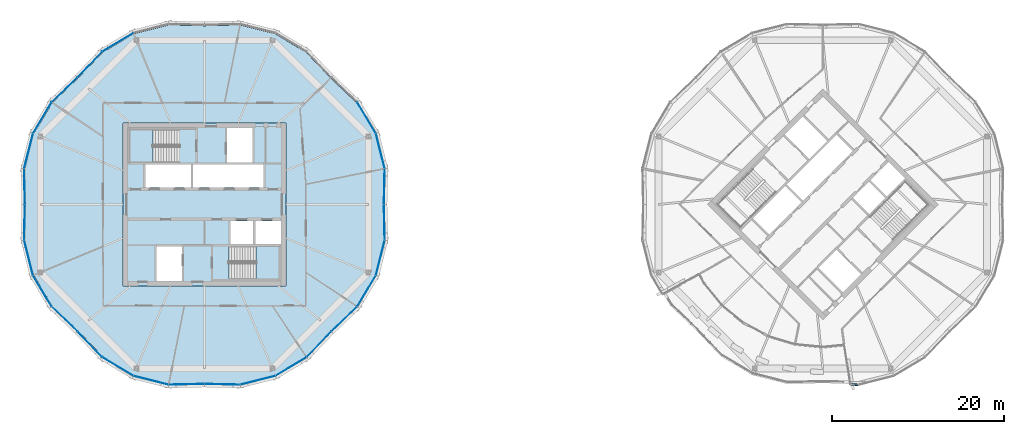
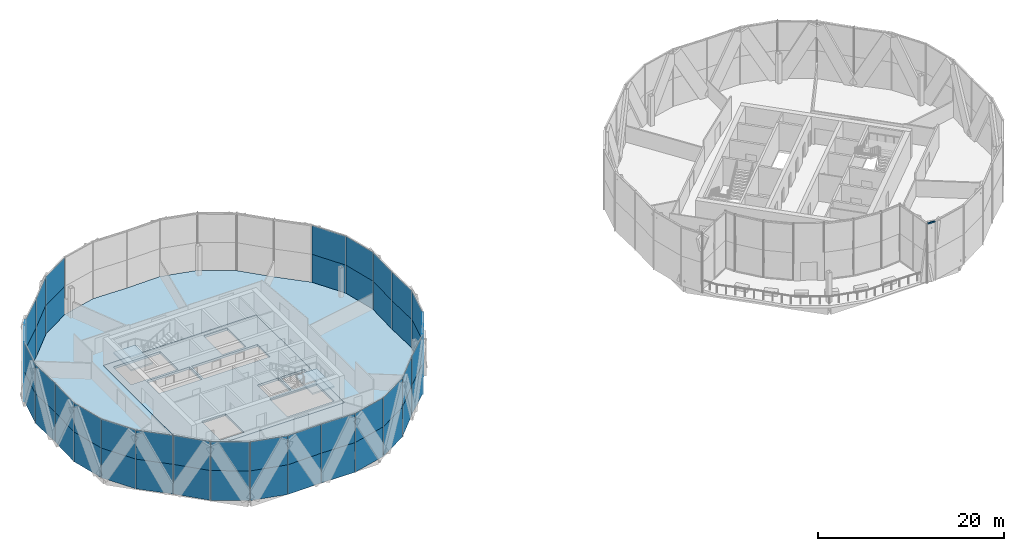
# One storey, part 15 of 26: 50 plates, 4 slabs, 1 member, 10 elements without a shape of their own.
"""IFC4 building model written with IfcOpenShell, lengths in metres."""

from ifc_helpers import new_model, si_unit, direction, frame, origin, origin_2d, place, context, subcontext, project, spatial, polyline, rectangle, outline, extrude, material, layer, layer_set, material_profile, profile_set, type_object, element, aggregate, save


model = new_model("IFC4")

# Units and contexts
model_context = context("Model", 3, precision=1e-05, world=origin(), true_north=direction((0.0, 1.0)))
body_context = subcontext(model_context, "Body", "Model", "MODEL_VIEW")
ifc_project = project(units=[si_unit("LENGTHUNIT", "METRE"), si_unit("AREAUNIT", "SQUARE_METRE"), si_unit("VOLUMEUNIT", "CUBIC_METRE"), si_unit("PLANEANGLEUNIT", "RADIAN"), si_unit("MASSUNIT", "GRAM", prefix="KILO")], contexts=[model_context])

# Site, building, storey
site_placement = place(None, origin())
site = spatial("IfcSite", under=ifc_project, at=site_placement, CompositionType="ELEMENT")
building_placement = place(site_placement, origin())
building = spatial("IfcBuilding", under=site, at=building_placement, Name="Ogive Gate Towers", CompositionType="ELEMENT")
storey_placement = place(building_placement, frame((0.0, 0.0, 208.5)))
storey = spatial("IfcBuildingStorey", under=building, at=storey_placement, Name="L50", CompositionType="ELEMENT", Elevation=208.5)

# Curtain wall, member
ifc_material_1 = material(Name="Pale metal aluminium", Category="aluminium")
curtain_wall_type = type_object("IfcCurtainWallType", Name="Tower unitised wall, high zone", PredefinedType="NOTDEFINED", material=ifc_material_1)
curtain_wall_1_placement = place(storey_placement, origin())
curtain_wall_1 = element("IfcCurtainWall", 1, at=curtain_wall_1_placement, inside=storey, type_object=curtain_wall_type, Name="CW2 T2 ECW09", PredefinedType="NOTDEFINED")
ifc_material_profile = material_profile(ifc_material_1, rectangle(XDim=0.179931640625, YDim=0.10009765625, at=origin_2d()), Name="100 x 180 aluminium box")
ifc_profile_set = profile_set([ifc_material_profile], Name="Pale metal aluminium")
member_type = type_object("IfcMemberType", Name="Tower unitised wall, high zone transom 100 x 180", PredefinedType="USERDEFINED", material=ifc_profile_set)
member_placement = place(storey_placement, frame((40.13671875, -21.000244140625, 7.449951171875), z_axis=(-0.9997635287, 0.02174595781, 0.0), x_axis=(-0.02174595781, -0.9997635287, 0.0)))
member = element("IfcMember", 2, at=member_placement, type_object=member_type, Name="CW2 transom", ObjectType="TRANSOM", PredefinedType="USERDEFINED", context=body_context, shape_type="SweptSolid", body=[
    extrude(rectangle(XDim=0.179931640625, YDim=0.10009765625, at=origin_2d()), origin(), (0.0, 0.0, 1.0), 0.886962890625),
])
aggregate(curtain_wall_1, [member])

# Slabs
ifc_material_2 = material(Name="Concrete C40/50", Category="concrete")
ifc_layer_1 = layer(ifc_material_2, 0.300048828125)
ifc_layer_set_1 = layer_set([ifc_layer_1], Name="Core slab C40/50 300 mm")
slab_type_1 = type_object("IfcSlabType", Name="Core slab C40/50 300 mm", PredefinedType="FLOOR", material=ifc_layer_set_1)
slab_1_placement = place(storey_placement, frame((0.0, 0.0, -0.300048828125)))
element("IfcSlab", 3, at=slab_1_placement, inside=storey, type_object=slab_type_1, Name="T1 L50 core slab", PredefinedType="FLOOR", context=body_context, shape_type="SweptSolid", body=[
    extrude(outline(polyline([(-45.5, -9.5), (-45.5, 9.5), (-26.5, 9.5), (-26.5, -9.5), (-45.5, -9.5)]), holes=[polyline([(-42.875, 1.949951171875), (-37.574951171875, 1.949951171875), (-37.574951171875, 4.625), (-42.875, 4.625), (-42.875, 1.949951171875)]), polyline([(-37.324951171875, 4.625), (-37.324951171875, 1.949951171875), (-29.125, 1.949951171875), (-29.125, 4.625), (-37.324951171875, 4.625)]), polyline([(-30.324951171875, -1.949951171875), (-32.97509765625, -1.949951171875), (-32.97509765625, -4.625), (-30.324951171875, -4.625), (-30.324951171875, -1.949951171875)]), polyline([(-27.10009765625, -4.625), (-27.10009765625, -1.949951171875), (-30.074951171875, -1.949951171875), (-30.074951171875, -4.625), (-27.10009765625, -4.625)]), polyline([(-33.375, 4.875), (-30.425048828125, 4.875), (-30.425048828125, 8.89990234375), (-33.375, 8.89990234375), (-33.375, 4.875)]), polyline([(-41.574951171875, -4.875), (-41.574951171875, -8.89990234375), (-38.625, -8.89990234375), (-38.625, -4.875), (-41.574951171875, -4.875)]), polyline([(-44.699951171875, 4.875), (-38.885009765625, 4.875), (-38.885009765625, 8.699951171875), (-44.699951171875, 8.699951171875), (-44.699951171875, 4.875)]), polyline([(-27.300048828125, -8.699951171875), (-27.300048828125, -4.875), (-33.114990234375, -4.875), (-33.114990234375, -8.699951171875), (-27.300048828125, -8.699951171875)])]), origin(), (0.0, 0.0, 1.0), 0.300048828125),
])
ifc_material_3 = material(Name="Concrete C35/45", Category="concrete")
ifc_layer_2 = layer(ifc_material_3, 0.300048828125)
ifc_layer_set_2 = layer_set([ifc_layer_2], Name="Floor slab 300")
slab_type_2 = type_object("IfcSlabType", Name="Floor slab 300", PredefinedType="FLOOR", material=ifc_layer_set_2)
slab_2_placement = place(storey_placement, frame((0.0, 0.0, -0.300048828125)))
element("IfcSlab", 4, at=slab_2_placement, inside=storey, type_object=slab_type_2, Name="T1/L50/SSL001", PredefinedType="FLOOR", context=body_context, shape_type="SweptSolid", body=[
    extrude(outline(polyline([(-15.109375, -4.155517578125), (-15.199951171875, 0.0), (-15.109375, 4.155517578125), (-16.136474609375, 8.227783203125), (-18.289794921875, 11.833740234375), (-21.292236328125, 14.707763671875), (-24.166259765625, 17.710205078125), (-27.772216796875, 19.863525390625), (-31.844482421875, 20.890625), (-36.0, 20.800048828125), (-40.155517578125, 20.890625), (-44.227783203125, 19.863525390625), (-47.833740234375, 17.710205078125), (-50.707763671875, 14.707763671875), (-53.710205078125, 11.833740234375), (-55.863525390625, 8.227783203125), (-56.890625, 4.155517578125), (-56.800048828125, 0.0), (-56.890625, -4.155517578125), (-55.863525390625, -8.227783203125), (-53.710205078125, -11.833740234375), (-50.707763671875, -14.707763671875), (-47.833740234375, -17.710205078125), (-44.227783203125, -19.863525390625), (-40.155517578125, -20.890625), (-36.0, -20.800048828125), (-31.844482421875, -20.890625), (-27.772216796875, -19.863525390625), (-24.166259765625, -17.710205078125), (-21.292236328125, -14.707763671875), (-18.289794921875, -11.833740234375), (-16.136474609375, -8.227783203125), (-15.109375, -4.155517578125)]), holes=[polyline([(-26.5, -9.5), (-45.5, -9.5), (-45.5, 9.5), (-26.5, 9.5), (-26.5, -9.5)])]), origin(), (0.0, 0.0, 1.0), 0.300048828125),
])

# Stair, slab
stair_type = type_object("IfcStairType", Name="Escape stair 1840 wide", PredefinedType="HALF_TURN_STAIR", material=ifc_material_2)
stair_1_placement = place(storey_placement, origin())
stair_1 = element("IfcStair", 5, at=stair_1_placement, inside=storey, type_object=stair_type, Name="L50 Escape stair 1", PredefinedType="HALF_TURN_STAIR")
ifc_layer_3 = layer(ifc_material_2, 0.199951171875)
ifc_layer_set_3 = layer_set([ifc_layer_3], Name="Stair landing 200 mm")
slab_type_3 = type_object("IfcSlabType", Name="Stair landing 200 mm", PredefinedType="LANDING", material=ifc_layer_set_3)
slab_3_placement = place(storey_placement, frame((0.0, 0.0, 1.75)))
slab_3 = element("IfcSlab", 6, at=slab_3_placement, type_object=slab_type_3, Name="ST1 landing 1", PredefinedType="LANDING", context=body_context, shape_type="SweptSolid", body=[
    extrude(outline(polyline([(-42.00146484375, 8.699951171875), (-44.699951171875, 8.699951171875), (-44.699951171875, 4.875), (-42.00146484375, 4.875), (-42.00146484375, 8.699951171875)])), origin(), (0.0, 0.0, 1.0), 0.199951171875),
])
aggregate(stair_1, [slab_3])

stair_2_placement = place(storey_placement, origin())
stair_2 = element("IfcStair", 7, at=stair_2_placement, inside=storey, type_object=stair_type, Name="L50 Escape stair 2", PredefinedType="HALF_TURN_STAIR")
slab_4_placement = place(storey_placement, frame((0.0, 0.0, 1.75)))
slab_4 = element("IfcSlab", 8, at=slab_4_placement, type_object=slab_type_3, Name="ST2 landing 1", PredefinedType="LANDING", context=body_context, shape_type="SweptSolid", body=[
    extrude(outline(polyline([(-29.99853515625, -8.699951171875), (-27.300048828125, -8.699951171875), (-27.300048828125, -4.875), (-29.99853515625, -4.875), (-29.99853515625, -8.699951171875)])), origin(), (0.0, 0.0, 1.0), 0.199951171875),
])
aggregate(stair_2, [slab_4])

# Curtain wall, plates
curtain_wall_2_placement = place(storey_placement, origin())
curtain_wall_2 = element("IfcCurtainWall", 9, at=curtain_wall_2_placement, inside=storey, type_object=curtain_wall_type, Name="CW2 T1 ECW01", PredefinedType="NOTDEFINED")
ifc_material_4 = material(Name="Clear glass", Category="glass")
ifc_layer_4 = layer(ifc_material_4, 0.028076171875)
ifc_layer_set_4 = layer_set([ifc_layer_4], Name="Tower unitised wall, high zone glass panel")
plate_type = type_object("IfcPlateType", Name="Tower unitised wall, high zone glass panel", PredefinedType="CURTAIN_PANEL", material=ifc_layer_set_4)
plate_1_placement = place(storey_placement, frame((-15.054443359375, 2.08154296875, -0.300048828125), z_axis=(0.0, 0.0, 1.0), x_axis=(0.02183233417, 0.999761646186, 0.0)))
plate_1 = element("IfcPlate", 10, at=plate_1_placement, type_object=plate_type, Name="CW2 glass panel", PredefinedType="CURTAIN_PANEL", context=body_context, shape_type="SweptSolid", body=[
    extrude(rectangle(XDim=4.10986328125, YDim=0.028076171875, at=origin_2d()), origin(), (0.0, 0.0, 1.0), 3.89990234375),
])
plate_2_placement = place(storey_placement, frame((-15.054443359375, 2.08154296875, 3.60009765625), z_axis=(0.0, 0.0, 1.0), x_axis=(0.02183233417, 0.999761646186, 0.0)))
plate_2 = element("IfcPlate", 11, at=plate_2_placement, type_object=plate_type, Name="CW2 glass panel", PredefinedType="CURTAIN_PANEL", context=body_context, shape_type="SweptSolid", body=[
    extrude(rectangle(XDim=4.10986328125, YDim=0.028076171875, at=origin_2d()), origin(), (0.0, 0.0, 1.0), 3.803955078125),
])
plate_3_placement = place(storey_placement, frame((-15.526123046875, 6.216552734375, -0.300048828125), z_axis=(0.0, 0.0, 1.0), x_axis=(-0.244613602588, 0.969620639956, 0.0)))
plate_3 = element("IfcPlate", 12, at=plate_3_placement, type_object=plate_type, Name="CW2 glass panel", PredefinedType="CURTAIN_PANEL", context=body_context, shape_type="SweptSolid", body=[
    extrude(rectangle(XDim=4.166015625, YDim=0.028076171875, at=origin_2d()), origin(), (0.0, 0.0, 1.0), 3.89990234375),
])
plate_4_placement = place(storey_placement, frame((-15.526123046875, 6.216552734375, 3.60009765625), z_axis=(0.0, 0.0, 1.0), x_axis=(-0.244613602588, 0.969620639956, 0.0)))
plate_4 = element("IfcPlate", 13, at=plate_4_placement, type_object=plate_type, Name="CW2 glass panel", PredefinedType="CURTAIN_PANEL", context=body_context, shape_type="SweptSolid", body=[
    extrude(rectangle(XDim=4.166015625, YDim=0.028076171875, at=origin_2d()), origin(), (0.0, 0.0, 1.0), 3.803955078125),
])
plate_5_placement = place(storey_placement, frame((-17.126953125, 10.08154296875, -0.300048828125), z_axis=(0.0, 0.0, 1.0), x_axis=(-0.512672377733, 0.858584319161, 0.0)))
plate_5 = element("IfcPlate", 14, at=plate_5_placement, type_object=plate_type, Name="CW2 glass panel", PredefinedType="CURTAIN_PANEL", context=body_context, shape_type="SweptSolid", body=[
    extrude(rectangle(XDim=4.166015625, YDim=0.028076171875, at=origin_2d()), origin(), (0.0, 0.0, 1.0), 3.89990234375),
])
plate_6_placement = place(storey_placement, frame((-17.126953125, 10.08154296875, 3.60009765625), z_axis=(0.0, 0.0, 1.0), x_axis=(-0.512672377733, 0.858584319161, 0.0)))
plate_6 = element("IfcPlate", 15, at=plate_6_placement, type_object=plate_type, Name="CW2 glass panel", PredefinedType="CURTAIN_PANEL", context=body_context, shape_type="SweptSolid", body=[
    extrude(rectangle(XDim=4.166015625, YDim=0.028076171875, at=origin_2d()), origin(), (0.0, 0.0, 1.0), 3.803955078125),
])
aggregate(curtain_wall_2, [plate_1, plate_2, plate_3, plate_4, plate_5, plate_6])

curtain_wall_3_placement = place(storey_placement, origin())
curtain_wall_3 = element("IfcCurtainWall", 16, at=curtain_wall_3_placement, inside=storey, type_object=curtain_wall_type, Name="CW2 T1 ECW03", PredefinedType="NOTDEFINED")
plate_7_placement = place(storey_placement, frame((-46.08154296875, 18.873046875, -0.300048828125), z_axis=(0.0, 0.0, 1.0), x_axis=(-0.858584319161, -0.512672377733, 0.0)))
plate_7 = element("IfcPlate", 17, at=plate_7_placement, type_object=plate_type, Name="CW2 glass panel", PredefinedType="CURTAIN_PANEL", context=body_context, shape_type="SweptSolid", body=[
    extrude(rectangle(XDim=4.166015625, YDim=0.028076171875, at=origin_2d()), origin(), (0.0, 0.0, 1.0), 3.89990234375),
])
plate_8_placement = place(storey_placement, frame((-46.08154296875, 18.873046875, 3.60009765625), z_axis=(0.0, 0.0, 1.0), x_axis=(-0.858584319161, -0.512672377733, 0.0)))
plate_8 = element("IfcPlate", 18, at=plate_8_placement, type_object=plate_type, Name="CW2 glass panel", PredefinedType="CURTAIN_PANEL", context=body_context, shape_type="SweptSolid", body=[
    extrude(rectangle(XDim=4.166015625, YDim=0.028076171875, at=origin_2d()), origin(), (0.0, 0.0, 1.0), 3.803955078125),
])
plate_9_placement = place(storey_placement, frame((-49.3388671875, 16.282470703125, -0.300048828125), z_axis=(0.0, 0.0, 1.0), x_axis=(-0.691500448047, -0.722376031129, 0.0)))
plate_9 = element("IfcPlate", 19, at=plate_9_placement, type_object=plate_type, Name="CW2 glass panel", PredefinedType="CURTAIN_PANEL", context=body_context, shape_type="SweptSolid", body=[
    extrude(rectangle(XDim=4.10986328125, YDim=0.028076171875, at=origin_2d()), origin(), (0.0, 0.0, 1.0), 3.89990234375),
])
plate_10_placement = place(storey_placement, frame((-49.3388671875, 16.282470703125, 3.60009765625), z_axis=(0.0, 0.0, 1.0), x_axis=(-0.691500448047, -0.722376031129, 0.0)))
plate_10 = element("IfcPlate", 20, at=plate_10_placement, type_object=plate_type, Name="CW2 glass panel", PredefinedType="CURTAIN_PANEL", context=body_context, shape_type="SweptSolid", body=[
    extrude(rectangle(XDim=4.10986328125, YDim=0.028076171875, at=origin_2d()), origin(), (0.0, 0.0, 1.0), 3.803955078125),
])
aggregate(curtain_wall_3, [plate_7, plate_8, plate_9, plate_10])

curtain_wall_4_placement = place(storey_placement, origin())
curtain_wall_4 = element("IfcCurtainWall", 21, at=curtain_wall_4_placement, inside=storey, type_object=curtain_wall_type, Name="CW2 T1 ECW04", PredefinedType="NOTDEFINED")
plate_11_placement = place(storey_placement, frame((-52.282470703125, 13.3388671875, -0.300048828125), z_axis=(0.0, 0.0, 1.0), x_axis=(-0.722376031129, -0.691500448047, 0.0)))
plate_11 = element("IfcPlate", 22, at=plate_11_placement, type_object=plate_type, Name="CW2 glass panel", PredefinedType="CURTAIN_PANEL", context=body_context, shape_type="SweptSolid", body=[
    extrude(rectangle(XDim=4.10986328125, YDim=0.028076171875, at=origin_2d()), origin(), (0.0, 0.0, 1.0), 3.89990234375),
])
plate_12_placement = place(storey_placement, frame((-52.282470703125, 13.3388671875, 3.60009765625), z_axis=(0.0, 0.0, 1.0), x_axis=(-0.722376031129, -0.691500448047, 0.0)))
plate_12 = element("IfcPlate", 23, at=plate_12_placement, type_object=plate_type, Name="CW2 glass panel", PredefinedType="CURTAIN_PANEL", context=body_context, shape_type="SweptSolid", body=[
    extrude(rectangle(XDim=4.10986328125, YDim=0.028076171875, at=origin_2d()), origin(), (0.0, 0.0, 1.0), 3.803955078125),
])
plate_13_placement = place(storey_placement, frame((-54.873046875, 10.08154296875, -0.300048828125), z_axis=(0.0, 0.0, 1.0), x_axis=(-0.512672377733, -0.858584319161, 0.0)))
plate_13 = element("IfcPlate", 24, at=plate_13_placement, type_object=plate_type, Name="CW2 glass panel", PredefinedType="CURTAIN_PANEL", context=body_context, shape_type="SweptSolid", body=[
    extrude(rectangle(XDim=4.166015625, YDim=0.028076171875, at=origin_2d()), origin(), (0.0, 0.0, 1.0), 3.89990234375),
])
plate_14_placement = place(storey_placement, frame((-54.873046875, 10.08154296875, 3.60009765625), z_axis=(0.0, 0.0, 1.0), x_axis=(-0.512672377733, -0.858584319161, 0.0)))
plate_14 = element("IfcPlate", 25, at=plate_14_placement, type_object=plate_type, Name="CW2 glass panel", PredefinedType="CURTAIN_PANEL", context=body_context, shape_type="SweptSolid", body=[
    extrude(rectangle(XDim=4.166015625, YDim=0.028076171875, at=origin_2d()), origin(), (0.0, 0.0, 1.0), 3.803955078125),
])
plate_15_placement = place(storey_placement, frame((-56.473876953125, 6.216552734375, -0.300048828125), z_axis=(0.0, 0.0, 1.0), x_axis=(-0.244613602588, -0.969620639956, 0.0)))
plate_15 = element("IfcPlate", 26, at=plate_15_placement, type_object=plate_type, Name="CW2 glass panel", PredefinedType="CURTAIN_PANEL", context=body_context, shape_type="SweptSolid", body=[
    extrude(rectangle(XDim=4.166015625, YDim=0.028076171875, at=origin_2d()), origin(), (0.0, 0.0, 1.0), 3.89990234375),
])
plate_16_placement = place(storey_placement, frame((-56.473876953125, 6.216552734375, 3.60009765625), z_axis=(0.0, 0.0, 1.0), x_axis=(-0.244613602588, -0.969620639956, 0.0)))
plate_16 = element("IfcPlate", 27, at=plate_16_placement, type_object=plate_type, Name="CW2 glass panel", PredefinedType="CURTAIN_PANEL", context=body_context, shape_type="SweptSolid", body=[
    extrude(rectangle(XDim=4.166015625, YDim=0.028076171875, at=origin_2d()), origin(), (0.0, 0.0, 1.0), 3.803955078125),
])
plate_17_placement = place(storey_placement, frame((-56.945556640625, 2.08154296875, -0.300048828125), z_axis=(0.0, 0.0, 1.0), x_axis=(0.02183233417, -0.999761646186, 0.0)))
plate_17 = element("IfcPlate", 28, at=plate_17_placement, type_object=plate_type, Name="CW2 glass panel", PredefinedType="CURTAIN_PANEL", context=body_context, shape_type="SweptSolid", body=[
    extrude(rectangle(XDim=4.10986328125, YDim=0.028076171875, at=origin_2d()), origin(), (0.0, 0.0, 1.0), 3.89990234375),
])
plate_18_placement = place(storey_placement, frame((-56.945556640625, 2.08154296875, 3.60009765625), z_axis=(0.0, 0.0, 1.0), x_axis=(0.02183233417, -0.999761646186, 0.0)))
plate_18 = element("IfcPlate", 29, at=plate_18_placement, type_object=plate_type, Name="CW2 glass panel", PredefinedType="CURTAIN_PANEL", context=body_context, shape_type="SweptSolid", body=[
    extrude(rectangle(XDim=4.10986328125, YDim=0.028076171875, at=origin_2d()), origin(), (0.0, 0.0, 1.0), 3.803955078125),
])
aggregate(curtain_wall_4, [plate_11, plate_12, plate_13, plate_14, plate_15, plate_16, plate_17, plate_18])

curtain_wall_5_placement = place(storey_placement, origin())
curtain_wall_5 = element("IfcCurtainWall", 30, at=curtain_wall_5_placement, inside=storey, type_object=curtain_wall_type, Name="CW2 T1 ECW05", PredefinedType="NOTDEFINED")
plate_19_placement = place(storey_placement, frame((-56.945556640625, -2.08154296875, -0.300048828125), z_axis=(0.0, 0.0, 1.0), x_axis=(-0.02183233417, -0.999761646186, 0.0)))
plate_19 = element("IfcPlate", 31, at=plate_19_placement, type_object=plate_type, Name="CW2 glass panel", PredefinedType="CURTAIN_PANEL", context=body_context, shape_type="SweptSolid", body=[
    extrude(rectangle(XDim=4.10986328125, YDim=0.028076171875, at=origin_2d()), origin(), (0.0, 0.0, 1.0), 3.89990234375),
])
plate_20_placement = place(storey_placement, frame((-56.945556640625, -2.08154296875, 3.60009765625), z_axis=(0.0, 0.0, 1.0), x_axis=(-0.02183233417, -0.999761646186, 0.0)))
plate_20 = element("IfcPlate", 32, at=plate_20_placement, type_object=plate_type, Name="CW2 glass panel", PredefinedType="CURTAIN_PANEL", context=body_context, shape_type="SweptSolid", body=[
    extrude(rectangle(XDim=4.10986328125, YDim=0.028076171875, at=origin_2d()), origin(), (0.0, 0.0, 1.0), 3.803955078125),
])
plate_21_placement = place(storey_placement, frame((-56.473876953125, -6.216552734375, -0.300048828125), z_axis=(0.0, 0.0, 1.0), x_axis=(0.244613602588, -0.969620639956, 0.0)))
plate_21 = element("IfcPlate", 33, at=plate_21_placement, type_object=plate_type, Name="CW2 glass panel", PredefinedType="CURTAIN_PANEL", context=body_context, shape_type="SweptSolid", body=[
    extrude(rectangle(XDim=4.166015625, YDim=0.028076171875, at=origin_2d()), origin(), (0.0, 0.0, 1.0), 3.89990234375),
])
plate_22_placement = place(storey_placement, frame((-56.473876953125, -6.216552734375, 3.60009765625), z_axis=(0.0, 0.0, 1.0), x_axis=(0.244613602588, -0.969620639956, 0.0)))
plate_22 = element("IfcPlate", 34, at=plate_22_placement, type_object=plate_type, Name="CW2 glass panel", PredefinedType="CURTAIN_PANEL", context=body_context, shape_type="SweptSolid", body=[
    extrude(rectangle(XDim=4.166015625, YDim=0.028076171875, at=origin_2d()), origin(), (0.0, 0.0, 1.0), 3.803955078125),
])
plate_23_placement = place(storey_placement, frame((-54.873046875, -10.08154296875, -0.300048828125), z_axis=(0.0, 0.0, 1.0), x_axis=(0.512672377733, -0.858584319161, 0.0)))
plate_23 = element("IfcPlate", 35, at=plate_23_placement, type_object=plate_type, Name="CW2 glass panel", PredefinedType="CURTAIN_PANEL", context=body_context, shape_type="SweptSolid", body=[
    extrude(rectangle(XDim=4.166015625, YDim=0.028076171875, at=origin_2d()), origin(), (0.0, 0.0, 1.0), 3.89990234375),
])
plate_24_placement = place(storey_placement, frame((-54.873046875, -10.08154296875, 3.60009765625), z_axis=(0.0, 0.0, 1.0), x_axis=(0.512672377733, -0.858584319161, 0.0)))
plate_24 = element("IfcPlate", 36, at=plate_24_placement, type_object=plate_type, Name="CW2 glass panel", PredefinedType="CURTAIN_PANEL", context=body_context, shape_type="SweptSolid", body=[
    extrude(rectangle(XDim=4.166015625, YDim=0.028076171875, at=origin_2d()), origin(), (0.0, 0.0, 1.0), 3.803955078125),
])
plate_25_placement = place(storey_placement, frame((-52.282470703125, -13.3388671875, -0.300048828125), z_axis=(0.0, 0.0, 1.0), x_axis=(0.722376031129, -0.691500448047, 0.0)))
plate_25 = element("IfcPlate", 37, at=plate_25_placement, type_object=plate_type, Name="CW2 glass panel", PredefinedType="CURTAIN_PANEL", context=body_context, shape_type="SweptSolid", body=[
    extrude(rectangle(XDim=4.10986328125, YDim=0.028076171875, at=origin_2d()), origin(), (0.0, 0.0, 1.0), 3.89990234375),
])
plate_26_placement = place(storey_placement, frame((-52.282470703125, -13.3388671875, 3.60009765625), z_axis=(0.0, 0.0, 1.0), x_axis=(0.722376031129, -0.691500448047, 0.0)))
plate_26 = element("IfcPlate", 38, at=plate_26_placement, type_object=plate_type, Name="CW2 glass panel", PredefinedType="CURTAIN_PANEL", context=body_context, shape_type="SweptSolid", body=[
    extrude(rectangle(XDim=4.10986328125, YDim=0.028076171875, at=origin_2d()), origin(), (0.0, 0.0, 1.0), 3.803955078125),
])
aggregate(curtain_wall_5, [plate_19, plate_20, plate_21, plate_22, plate_23, plate_24, plate_25, plate_26])

curtain_wall_6_placement = place(storey_placement, origin())
curtain_wall_6 = element("IfcCurtainWall", 39, at=curtain_wall_6_placement, inside=storey, type_object=curtain_wall_type, Name="CW2 T1 ECW06", PredefinedType="NOTDEFINED")
plate_27_placement = place(storey_placement, frame((-49.3388671875, -16.282470703125, -0.300048828125), z_axis=(0.0, 0.0, 1.0), x_axis=(0.691500448047, -0.722376031129, 0.0)))
plate_27 = element("IfcPlate", 40, at=plate_27_placement, type_object=plate_type, Name="CW2 glass panel", PredefinedType="CURTAIN_PANEL", context=body_context, shape_type="SweptSolid", body=[
    extrude(rectangle(XDim=4.10986328125, YDim=0.028076171875, at=origin_2d()), origin(), (0.0, 0.0, 1.0), 3.89990234375),
])
plate_28_placement = place(storey_placement, frame((-49.3388671875, -16.282470703125, 3.60009765625), z_axis=(0.0, 0.0, 1.0), x_axis=(0.691500448047, -0.722376031129, 0.0)))
plate_28 = element("IfcPlate", 41, at=plate_28_placement, type_object=plate_type, Name="CW2 glass panel", PredefinedType="CURTAIN_PANEL", context=body_context, shape_type="SweptSolid", body=[
    extrude(rectangle(XDim=4.10986328125, YDim=0.028076171875, at=origin_2d()), origin(), (0.0, 0.0, 1.0), 3.803955078125),
])
plate_29_placement = place(storey_placement, frame((-46.08154296875, -18.873046875, -0.300048828125), z_axis=(0.0, 0.0, 1.0), x_axis=(0.858584319161, -0.512672377733, 0.0)))
plate_29 = element("IfcPlate", 42, at=plate_29_placement, type_object=plate_type, Name="CW2 glass panel", PredefinedType="CURTAIN_PANEL", context=body_context, shape_type="SweptSolid", body=[
    extrude(rectangle(XDim=4.166015625, YDim=0.028076171875, at=origin_2d()), origin(), (0.0, 0.0, 1.0), 3.89990234375),
])
plate_30_placement = place(storey_placement, frame((-46.08154296875, -18.873046875, 3.60009765625), z_axis=(0.0, 0.0, 1.0), x_axis=(0.858584319161, -0.512672377733, 0.0)))
plate_30 = element("IfcPlate", 43, at=plate_30_placement, type_object=plate_type, Name="CW2 glass panel", PredefinedType="CURTAIN_PANEL", context=body_context, shape_type="SweptSolid", body=[
    extrude(rectangle(XDim=4.166015625, YDim=0.028076171875, at=origin_2d()), origin(), (0.0, 0.0, 1.0), 3.803955078125),
])
plate_31_placement = place(storey_placement, frame((-42.216552734375, -20.473876953125, -0.300048828125), z_axis=(0.0, 0.0, 1.0), x_axis=(0.969620639956, -0.244613602588, 0.0)))
plate_31 = element("IfcPlate", 44, at=plate_31_placement, type_object=plate_type, Name="CW2 glass panel", PredefinedType="CURTAIN_PANEL", context=body_context, shape_type="SweptSolid", body=[
    extrude(rectangle(XDim=4.166015625, YDim=0.028076171875, at=origin_2d()), origin(), (0.0, 0.0, 1.0), 3.89990234375),
])
plate_32_placement = place(storey_placement, frame((-42.216552734375, -20.473876953125, 3.60009765625), z_axis=(0.0, 0.0, 1.0), x_axis=(0.969620639956, -0.244613602588, 0.0)))
plate_32 = element("IfcPlate", 45, at=plate_32_placement, type_object=plate_type, Name="CW2 glass panel", PredefinedType="CURTAIN_PANEL", context=body_context, shape_type="SweptSolid", body=[
    extrude(rectangle(XDim=4.166015625, YDim=0.028076171875, at=origin_2d()), origin(), (0.0, 0.0, 1.0), 3.803955078125),
])
plate_33_placement = place(storey_placement, frame((-38.08154296875, -20.945556640625, -0.300048828125), z_axis=(0.0, 0.0, 1.0), x_axis=(0.999761646186, 0.02183233417, 0.0)))
plate_33 = element("IfcPlate", 46, at=plate_33_placement, type_object=plate_type, Name="CW2 glass panel", PredefinedType="CURTAIN_PANEL", context=body_context, shape_type="SweptSolid", body=[
    extrude(rectangle(XDim=4.10986328125, YDim=0.028076171875, at=origin_2d()), origin(), (0.0, 0.0, 1.0), 3.89990234375),
])
plate_34_placement = place(storey_placement, frame((-38.08154296875, -20.945556640625, 3.60009765625), z_axis=(0.0, 0.0, 1.0), x_axis=(0.999761646186, 0.02183233417, 0.0)))
plate_34 = element("IfcPlate", 47, at=plate_34_placement, type_object=plate_type, Name="CW2 glass panel", PredefinedType="CURTAIN_PANEL", context=body_context, shape_type="SweptSolid", body=[
    extrude(rectangle(XDim=4.10986328125, YDim=0.028076171875, at=origin_2d()), origin(), (0.0, 0.0, 1.0), 3.803955078125),
])
aggregate(curtain_wall_6, [plate_27, plate_28, plate_29, plate_30, plate_31, plate_32, plate_33, plate_34])

curtain_wall_7_placement = place(storey_placement, origin())
curtain_wall_7 = element("IfcCurtainWall", 48, at=curtain_wall_7_placement, inside=storey, type_object=curtain_wall_type, Name="CW2 T1 ECW07", PredefinedType="NOTDEFINED")
plate_35_placement = place(storey_placement, frame((-33.91845703125, -20.945556640625, -0.300048828125), z_axis=(0.0, 0.0, 1.0), x_axis=(0.999761646186, -0.02183233417, 0.0)))
plate_35 = element("IfcPlate", 49, at=plate_35_placement, type_object=plate_type, Name="CW2 glass panel", PredefinedType="CURTAIN_PANEL", context=body_context, shape_type="SweptSolid", body=[
    extrude(rectangle(XDim=4.10986328125, YDim=0.028076171875, at=origin_2d()), origin(), (0.0, 0.0, 1.0), 3.89990234375),
])
plate_36_placement = place(storey_placement, frame((-33.91845703125, -20.945556640625, 3.60009765625), z_axis=(0.0, 0.0, 1.0), x_axis=(0.999761646186, -0.02183233417, 0.0)))
plate_36 = element("IfcPlate", 50, at=plate_36_placement, type_object=plate_type, Name="CW2 glass panel", PredefinedType="CURTAIN_PANEL", context=body_context, shape_type="SweptSolid", body=[
    extrude(rectangle(XDim=4.10986328125, YDim=0.028076171875, at=origin_2d()), origin(), (0.0, 0.0, 1.0), 3.803955078125),
])
plate_37_placement = place(storey_placement, frame((-29.783447265625, -20.473876953125, -0.300048828125), z_axis=(0.0, 0.0, 1.0), x_axis=(0.969620639956, 0.244613602588, 0.0)))
plate_37 = element("IfcPlate", 51, at=plate_37_placement, type_object=plate_type, Name="CW2 glass panel", PredefinedType="CURTAIN_PANEL", context=body_context, shape_type="SweptSolid", body=[
    extrude(rectangle(XDim=4.166015625, YDim=0.028076171875, at=origin_2d()), origin(), (0.0, 0.0, 1.0), 3.89990234375),
])
plate_38_placement = place(storey_placement, frame((-29.783447265625, -20.473876953125, 3.60009765625), z_axis=(0.0, 0.0, 1.0), x_axis=(0.969620639956, 0.244613602588, 0.0)))
plate_38 = element("IfcPlate", 52, at=plate_38_placement, type_object=plate_type, Name="CW2 glass panel", PredefinedType="CURTAIN_PANEL", context=body_context, shape_type="SweptSolid", body=[
    extrude(rectangle(XDim=4.166015625, YDim=0.028076171875, at=origin_2d()), origin(), (0.0, 0.0, 1.0), 3.803955078125),
])
plate_39_placement = place(storey_placement, frame((-25.91845703125, -18.873046875, -0.300048828125), z_axis=(0.0, 0.0, 1.0), x_axis=(0.858584319161, 0.512672377733, 0.0)))
plate_39 = element("IfcPlate", 53, at=plate_39_placement, type_object=plate_type, Name="CW2 glass panel", PredefinedType="CURTAIN_PANEL", context=body_context, shape_type="SweptSolid", body=[
    extrude(rectangle(XDim=4.166015625, YDim=0.028076171875, at=origin_2d()), origin(), (0.0, 0.0, 1.0), 3.89990234375),
])
plate_40_placement = place(storey_placement, frame((-25.91845703125, -18.873046875, 3.60009765625), z_axis=(0.0, 0.0, 1.0), x_axis=(0.858584319161, 0.512672377733, 0.0)))
plate_40 = element("IfcPlate", 54, at=plate_40_placement, type_object=plate_type, Name="CW2 glass panel", PredefinedType="CURTAIN_PANEL", context=body_context, shape_type="SweptSolid", body=[
    extrude(rectangle(XDim=4.166015625, YDim=0.028076171875, at=origin_2d()), origin(), (0.0, 0.0, 1.0), 3.803955078125),
])
plate_41_placement = place(storey_placement, frame((-22.6611328125, -16.282470703125, -0.300048828125), z_axis=(0.0, 0.0, 1.0), x_axis=(0.691500448047, 0.722376031129, 0.0)))
plate_41 = element("IfcPlate", 55, at=plate_41_placement, type_object=plate_type, Name="CW2 glass panel", PredefinedType="CURTAIN_PANEL", context=body_context, shape_type="SweptSolid", body=[
    extrude(rectangle(XDim=4.10986328125, YDim=0.028076171875, at=origin_2d()), origin(), (0.0, 0.0, 1.0), 3.89990234375),
])
plate_42_placement = place(storey_placement, frame((-22.6611328125, -16.282470703125, 3.60009765625), z_axis=(0.0, 0.0, 1.0), x_axis=(0.691500448047, 0.722376031129, 0.0)))
plate_42 = element("IfcPlate", 56, at=plate_42_placement, type_object=plate_type, Name="CW2 glass panel", PredefinedType="CURTAIN_PANEL", context=body_context, shape_type="SweptSolid", body=[
    extrude(rectangle(XDim=4.10986328125, YDim=0.028076171875, at=origin_2d()), origin(), (0.0, 0.0, 1.0), 3.803955078125),
])
aggregate(curtain_wall_7, [plate_35, plate_36, plate_37, plate_38, plate_39, plate_40, plate_41, plate_42])

curtain_wall_8_placement = place(storey_placement, origin())
curtain_wall_8 = element("IfcCurtainWall", 57, at=curtain_wall_8_placement, inside=storey, type_object=curtain_wall_type, Name="CW2 T1 ECW08", PredefinedType="NOTDEFINED")
plate_43_placement = place(storey_placement, frame((-19.717529296875, -13.3388671875, -0.300048828125), z_axis=(0.0, 0.0, 1.0), x_axis=(0.722376031129, 0.691500448047, 0.0)))
plate_43 = element("IfcPlate", 58, at=plate_43_placement, type_object=plate_type, Name="CW2 glass panel", PredefinedType="CURTAIN_PANEL", context=body_context, shape_type="SweptSolid", body=[
    extrude(rectangle(XDim=4.10986328125, YDim=0.028076171875, at=origin_2d()), origin(), (0.0, 0.0, 1.0), 3.89990234375),
])
plate_44_placement = place(storey_placement, frame((-19.717529296875, -13.3388671875, 3.60009765625), z_axis=(0.0, 0.0, 1.0), x_axis=(0.722376031129, 0.691500448047, 0.0)))
plate_44 = element("IfcPlate", 59, at=plate_44_placement, type_object=plate_type, Name="CW2 glass panel", PredefinedType="CURTAIN_PANEL", context=body_context, shape_type="SweptSolid", body=[
    extrude(rectangle(XDim=4.10986328125, YDim=0.028076171875, at=origin_2d()), origin(), (0.0, 0.0, 1.0), 3.803955078125),
])
plate_45_placement = place(storey_placement, frame((-17.126953125, -10.08154296875, -0.300048828125), z_axis=(0.0, 0.0, 1.0), x_axis=(0.512672377733, 0.858584319161, 0.0)))
plate_45 = element("IfcPlate", 60, at=plate_45_placement, type_object=plate_type, Name="CW2 glass panel", PredefinedType="CURTAIN_PANEL", context=body_context, shape_type="SweptSolid", body=[
    extrude(rectangle(XDim=4.166015625, YDim=0.028076171875, at=origin_2d()), origin(), (0.0, 0.0, 1.0), 3.89990234375),
])
plate_46_placement = place(storey_placement, frame((-17.126953125, -10.08154296875, 3.60009765625), z_axis=(0.0, 0.0, 1.0), x_axis=(0.512672377733, 0.858584319161, 0.0)))
plate_46 = element("IfcPlate", 61, at=plate_46_placement, type_object=plate_type, Name="CW2 glass panel", PredefinedType="CURTAIN_PANEL", context=body_context, shape_type="SweptSolid", body=[
    extrude(rectangle(XDim=4.166015625, YDim=0.028076171875, at=origin_2d()), origin(), (0.0, 0.0, 1.0), 3.803955078125),
])
plate_47_placement = place(storey_placement, frame((-15.526123046875, -6.216552734375, -0.300048828125), z_axis=(0.0, 0.0, 1.0), x_axis=(0.244613602588, 0.969620639956, 0.0)))
plate_47 = element("IfcPlate", 62, at=plate_47_placement, type_object=plate_type, Name="CW2 glass panel", PredefinedType="CURTAIN_PANEL", context=body_context, shape_type="SweptSolid", body=[
    extrude(rectangle(XDim=4.166015625, YDim=0.028076171875, at=origin_2d()), origin(), (0.0, 0.0, 1.0), 3.89990234375),
])
plate_48_placement = place(storey_placement, frame((-15.526123046875, -6.216552734375, 3.60009765625), z_axis=(0.0, 0.0, 1.0), x_axis=(0.244613602588, 0.969620639956, 0.0)))
plate_48 = element("IfcPlate", 63, at=plate_48_placement, type_object=plate_type, Name="CW2 glass panel", PredefinedType="CURTAIN_PANEL", context=body_context, shape_type="SweptSolid", body=[
    extrude(rectangle(XDim=4.166015625, YDim=0.028076171875, at=origin_2d()), origin(), (0.0, 0.0, 1.0), 3.803955078125),
])
plate_49_placement = place(storey_placement, frame((-15.054443359375, -2.08154296875, -0.300048828125), z_axis=(0.0, 0.0, 1.0), x_axis=(-0.02183233417, 0.999761646186, 0.0)))
plate_49 = element("IfcPlate", 64, at=plate_49_placement, type_object=plate_type, Name="CW2 glass panel", PredefinedType="CURTAIN_PANEL", context=body_context, shape_type="SweptSolid", body=[
    extrude(rectangle(XDim=4.10986328125, YDim=0.028076171875, at=origin_2d()), origin(), (0.0, 0.0, 1.0), 3.89990234375),
])
plate_50_placement = place(storey_placement, frame((-15.054443359375, -2.08154296875, 3.60009765625), z_axis=(0.0, 0.0, 1.0), x_axis=(-0.02183233417, 0.999761646186, 0.0)))
plate_50 = element("IfcPlate", 65, at=plate_50_placement, type_object=plate_type, Name="CW2 glass panel", PredefinedType="CURTAIN_PANEL", context=body_context, shape_type="SweptSolid", body=[
    extrude(rectangle(XDim=4.10986328125, YDim=0.028076171875, at=origin_2d()), origin(), (0.0, 0.0, 1.0), 3.803955078125),
])
aggregate(curtain_wall_8, [plate_43, plate_44, plate_45, plate_46, plate_47, plate_48, plate_49, plate_50])

save(model, "model.ifc")
